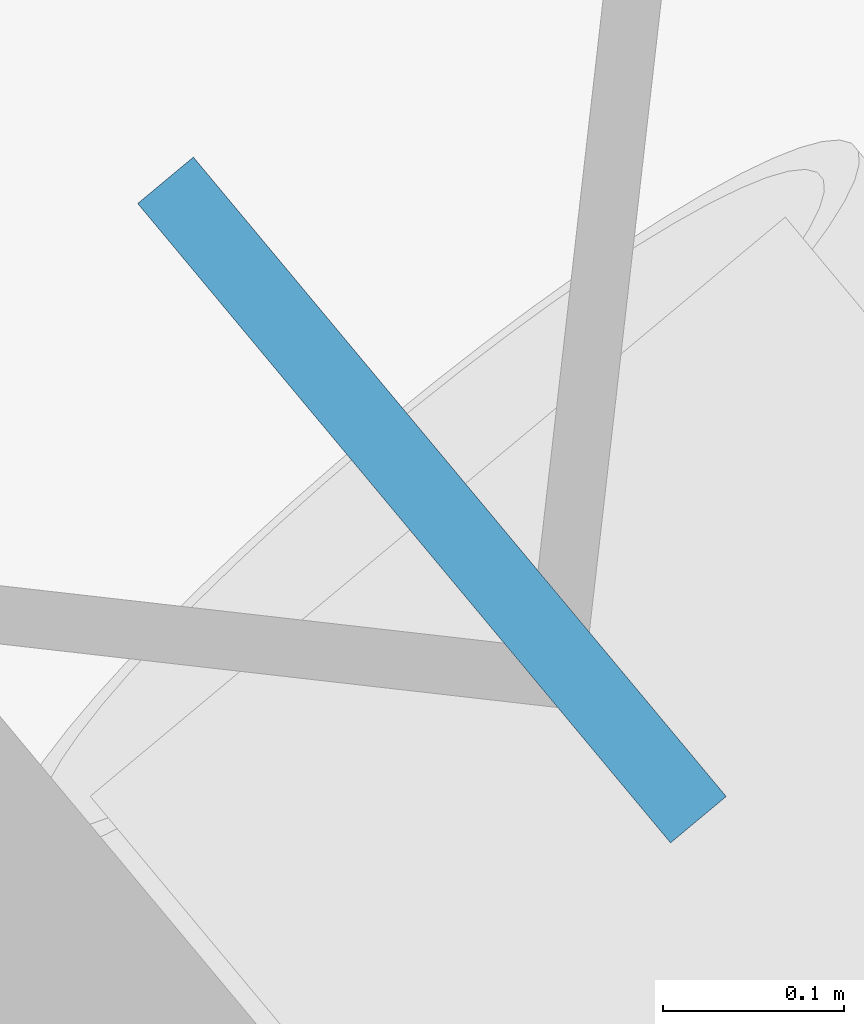
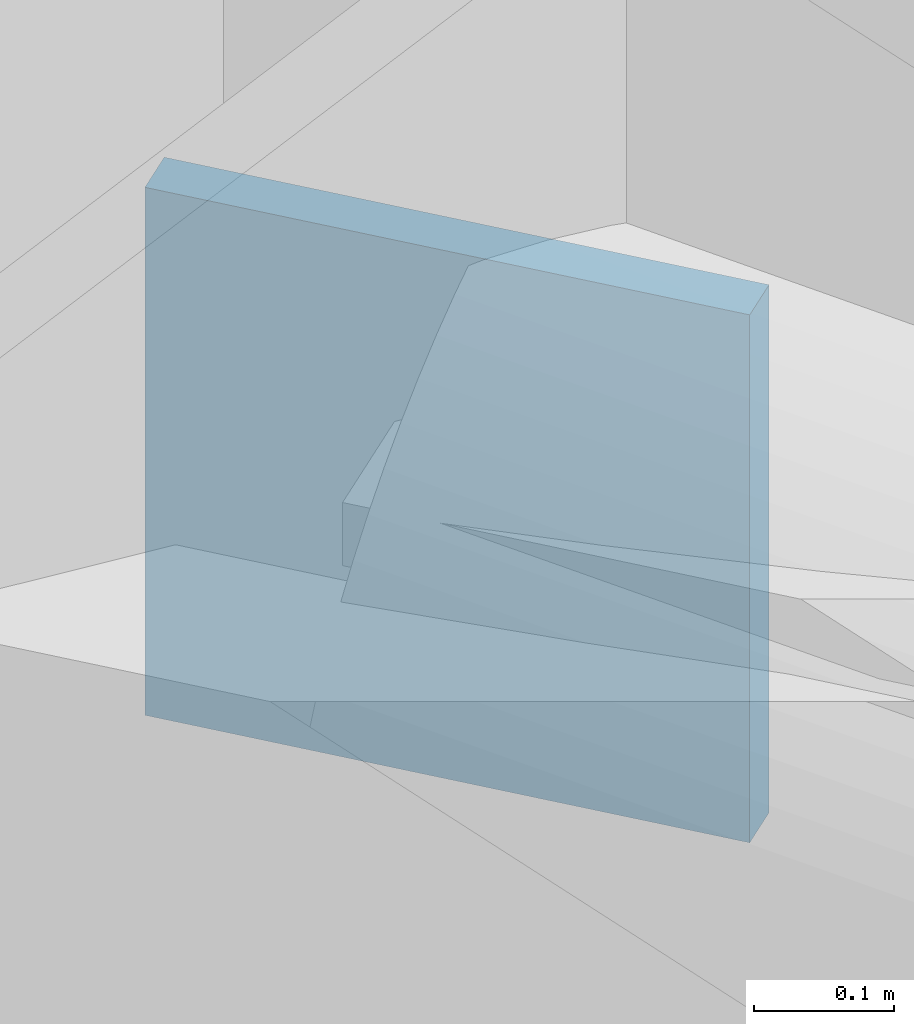
# One storey, part 19 of 21: 1 discrete accessory.
"""IFC4 building model written with IfcOpenShell, lengths in metres."""

from ifc_helpers import new_model, si_unit, direction, frame, origin, origin_2d, place, context, subcontext, project, spatial, rectangle, extrude, material, type_object, element, save


model = new_model("IFC4")

# Units and contexts
model_context = context("Model", 3, precision=1e-05, world=origin(), true_north=direction((0.0, 1.0)))
body_context = subcontext(model_context, "Body", "Model", "MODEL_VIEW")
ifc_project = project(units=[si_unit("LENGTHUNIT", "METRE"), si_unit("AREAUNIT", "SQUARE_METRE"), si_unit("VOLUMEUNIT", "CUBIC_METRE"), si_unit("PLANEANGLEUNIT", "RADIAN"), si_unit("MASSUNIT", "GRAM", prefix="KILO")], contexts=[model_context])

# Site, building, storey
site_placement = place(None, origin())
site = spatial("IfcSite", under=ifc_project, at=site_placement, CompositionType="ELEMENT")
building_placement = place(site_placement, origin())
building = spatial("IfcBuilding", under=site, at=building_placement, Name="Tavrogorsk Clinical Tower", CompositionType="ELEMENT")
storey_placement = place(building_placement, frame((0.0, 0.0, 89.39990234375)))
storey = spatial("IfcBuildingStorey", under=building, at=storey_placement, Name="L19", CompositionType="ELEMENT", Elevation=89.39990234375)

# Discrete accessory
ifc_material = material(Name="Structural steel S440", Category="steel")
discrete_accessory_type = type_object("IfcDiscreteAccessoryType", Name="GussetPlateBracket_25", PredefinedType="BRACKET", material=ifc_material)
discrete_accessory_placement = place(storey_placement, frame((37.22265625, 18.05224609375, 1.201904296875), z_axis=(0.0, 0.0, 1.0), x_axis=(-0.640243780506, 0.768171791674, 0.0)))
element("IfcDiscreteAccessory", 1, at=discrete_accessory_placement, inside=storey, type_object=discrete_accessory_type, Name="L19 Brace Gusset Plate EXOCRN-L19-2-B", PredefinedType="BRACKET", context=body_context, shape_type="SweptSolid", body=[
    extrude(rectangle(XDim=0.4599609375, YDim=0.0400390625, at=origin_2d()), origin(), (0.0, 0.0, 1.0), 0.4599609375),
])

save(model, "model.ifc")
